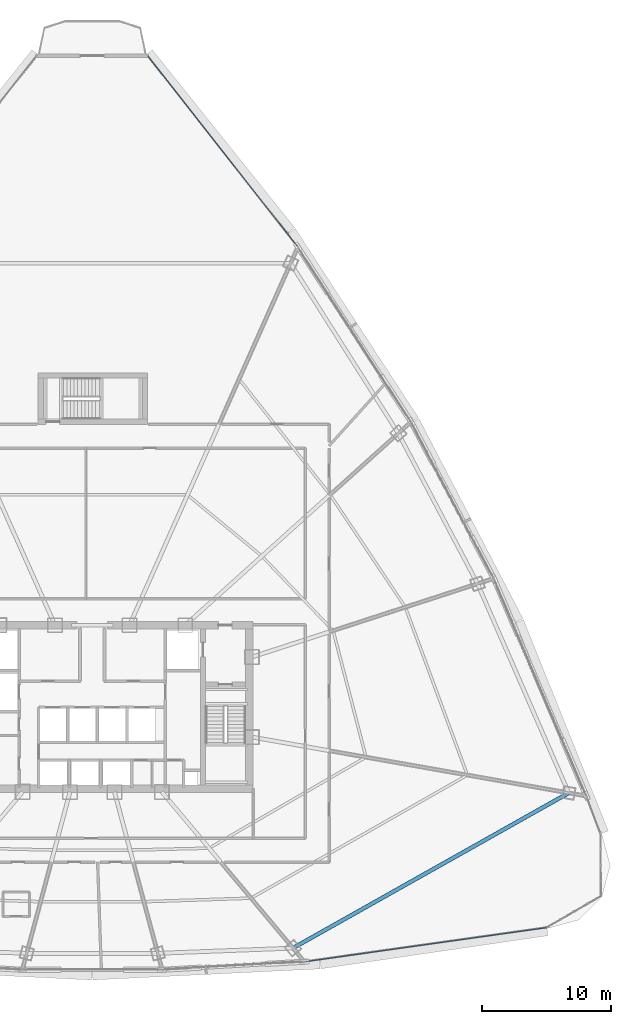
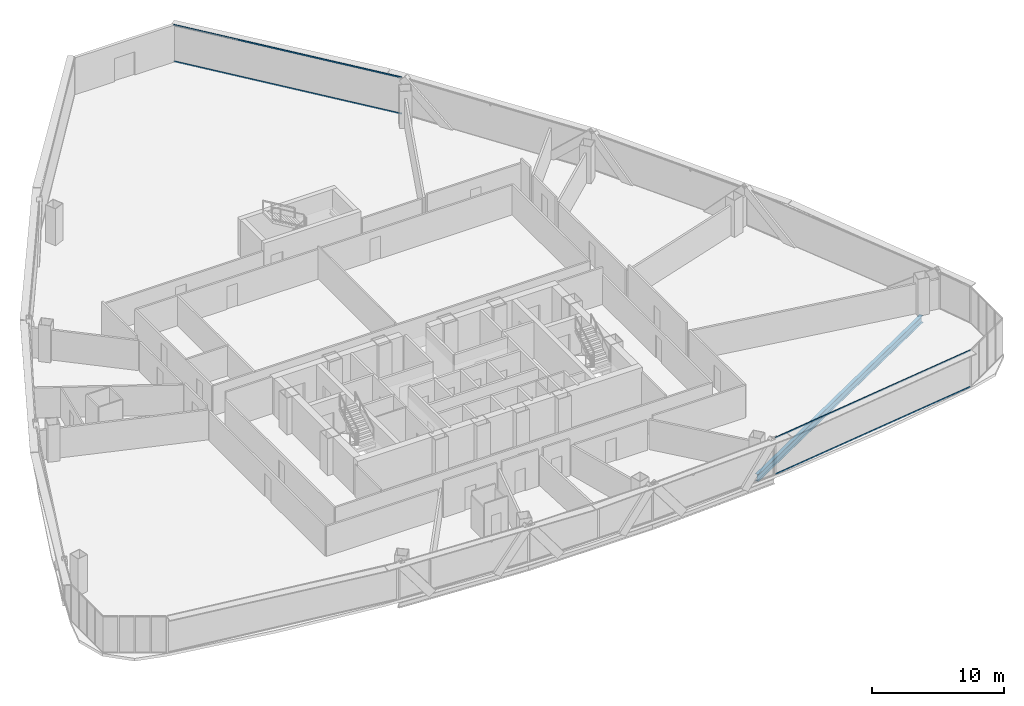
# One storey, part 23 of 41: 4 members, 1 beam, 2 elements without a shape of their own.
"""IFC4 building model written with IfcOpenShell, lengths in metres."""

from ifc_helpers import new_model, si_unit, direction, frame, origin, origin_2d, place, context, subcontext, project, spatial, hollow_rectangle, i_section, extrude, source, transform, mapped, material, layer, layer_set, material_profile, profile_set, type_object, element, aggregate, save


model = new_model("IFC4")

# Units and contexts
model_context = context("Model", 3, precision=1e-05, world=origin(), true_north=direction((0.0, 1.0)))
body_context = subcontext(model_context, "Body", "Model", "MODEL_VIEW")
ifc_project = project(units=[si_unit("LENGTHUNIT", "METRE"), si_unit("AREAUNIT", "SQUARE_METRE"), si_unit("VOLUMEUNIT", "CUBIC_METRE"), si_unit("PLANEANGLEUNIT", "RADIAN"), si_unit("MASSUNIT", "GRAM", prefix="KILO"), si_unit("THERMODYNAMICTEMPERATUREUNIT", "KELVIN"), si_unit("POWERUNIT", "WATT")], contexts=[model_context])

# Site, building, storey
site_placement = place(None, origin())
site = spatial("IfcSite", under=ifc_project, at=site_placement, CompositionType="ELEMENT")
building_placement = place(site_placement, origin())
building = spatial("IfcBuilding", under=site, at=building_placement, Name="Yunzhuo Pagoda Commons", CompositionType="ELEMENT")
storey_placement = place(building_placement, frame((0.0, 0.0, 155.590087890625)))
storey = spatial("IfcBuildingStorey", under=building, at=storey_placement, Name="L39", CompositionType="ELEMENT", Elevation=155.590087890625)

# Beam
ifc_material_1 = material(Name="Structural steel Q355B", Category="steel")
ifc_material_profile_1 = material_profile(ifc_material_1, i_section(OverallWidth=0.300048828125, OverallDepth=0.64990234375, WebThickness=0.012939453125, FlangeThickness=0.02197265625, at=origin_2d()), Name="Structural steel Q355B")
ifc_profile_set_1 = profile_set([ifc_material_profile_1], Name="Structural steel Q355B")
beam_type = type_object("IfcBeamType", Name="B-RG2 Beam HN 650x300x13x22", PredefinedType="BEAM", material=ifc_profile_set_1)
shared_shape_1 = source(origin(), body_context, "Body", "SweptSolid", [
    extrude(i_section(OverallWidth=0.300048828125, OverallDepth=0.64990234375, WebThickness=0.012939453125, FlangeThickness=0.02197265625, at=origin_2d()), origin(), (0.0, 0.0, 1.0), 24.56982421875),
])
beam_placement = place(storey_placement, frame((63.585205078125, 15.126220703125, -0.585205078125), z_axis=(0.871469103633, 0.490450406681, 0.0), x_axis=(-0.490450406681, 0.871469103633, 0.0)))
element("IfcBeam", 1, at=beam_placement, inside=storey, type_object=beam_type, Name="L39 column-ring beam 4", PredefinedType="BEAM", context=body_context, shape_type="MappedRepresentation", body=[
    mapped(shared_shape_1, transform((0.0, 0.0, 0.0), scale=1.0)),
])

# Curtain wall, members
ifc_material_2 = material(Name="Anodized aluminium 6063-T6", Category="aluminium")
ifc_layer = layer(ifc_material_2, 0.14990234375)
ifc_layer_set = layer_set([ifc_layer], Name="Anodized aluminium 6063-T6")
curtain_wall_type = type_object("IfcCurtainWallType", Name="CW-MID Mid-Zone Ribbon Curtain Wall", PredefinedType="NOTDEFINED", material=ifc_layer_set)
curtain_wall_1_placement = place(storey_placement, origin())
curtain_wall_1 = element("IfcCurtainWall", 2, at=curtain_wall_1_placement, inside=storey, type_object=curtain_wall_type, Name="L39 curtain wall CW-L39-F1B5", PredefinedType="NOTDEFINED")
ifc_material_profile_2 = material_profile(ifc_material_2, hollow_rectangle(XDim=0.054931640625, YDim=0.1298828125, WallThickness=0.00341796875, at=origin_2d()), Name="Anodized aluminium 6063-T6")
ifc_profile_set_2 = profile_set([ifc_material_profile_2], Name="Anodized aluminium 6063-T6")
member_type = type_object("IfcMemberType", Name="CW-MID-T Transom RHS 130x55x3.5", PredefinedType="USERDEFINED", material=ifc_profile_set_2)
shared_shape_2 = source(origin(), body_context, "Body", "SweptSolid", [
    extrude(hollow_rectangle(XDim=0.054931640625, YDim=0.1298828125, WallThickness=0.00341796875, at=origin_2d()), origin(), (0.0, 0.0, 1.0), 18.81689453125),
])
member_1_placement = place(storey_placement, frame((64.6064453125, 14.08740234375, 0.02734375), z_axis=(0.990203475136, 0.139631936994, 0.0), x_axis=(-0.139631936994, 0.990203475136, 0.0)))
member_1 = element("IfcMember", 3, at=member_1_placement, type_object=member_type, Name="CW transom 1.1", ObjectType="TRANSOM", PredefinedType="USERDEFINED", context=body_context, shape_type="MappedRepresentation", body=[
    mapped(shared_shape_2, transform((0.0, 0.0, 0.0), scale=1.0)),
])
member_2_placement = place(storey_placement, frame((64.6064453125, 14.08740234375, 3.392333984375), z_axis=(0.990203475136, 0.139631936994, 0.0), x_axis=(-0.139631936994, 0.990203475136, 0.0)))
member_2 = element("IfcMember", 4, at=member_2_placement, type_object=member_type, Name="CW transom 1.2", ObjectType="TRANSOM", PredefinedType="USERDEFINED", context=body_context, shape_type="MappedRepresentation", body=[
    mapped(shared_shape_2, transform((0.0, 0.0, 0.0), scale=1.0)),
])
aggregate(curtain_wall_1, [member_1, member_2])

curtain_wall_2_placement = place(storey_placement, origin())
curtain_wall_2 = element("IfcCurtainWall", 5, at=curtain_wall_2_placement, inside=storey, type_object=curtain_wall_type, Name="L39 curtain wall CW-L39-F2B5", PredefinedType="NOTDEFINED")
shared_shape_3 = source(origin(), body_context, "Body", "SweptSolid", [
    extrude(hollow_rectangle(XDim=0.054931640625, YDim=0.1298828125, WallThickness=0.00341796875, at=origin_2d()), origin(), (0.0, 0.0, 1.0), 18.6806640625),
])
member_3_placement = place(storey_placement, frame((63.883544921875, 69.668701171875, 0.02734375), z_axis=(-0.61725574956, 0.786762568781, 0.0), x_axis=(-0.786762568781, -0.61725574956, 0.0)))
member_3 = element("IfcMember", 6, at=member_3_placement, type_object=member_type, Name="CW transom 1.1", ObjectType="TRANSOM", PredefinedType="USERDEFINED", context=body_context, shape_type="MappedRepresentation", body=[
    mapped(shared_shape_3, transform((0.0, 0.0, 0.0), scale=1.0)),
])
member_4_placement = place(storey_placement, frame((63.883544921875, 69.668701171875, 3.392333984375), z_axis=(-0.61725574956, 0.786762568781, 0.0), x_axis=(-0.786762568781, -0.61725574956, 0.0)))
member_4 = element("IfcMember", 7, at=member_4_placement, type_object=member_type, Name="CW transom 1.2", ObjectType="TRANSOM", PredefinedType="USERDEFINED", context=body_context, shape_type="MappedRepresentation", body=[
    mapped(shared_shape_3, transform((0.0, 0.0, 0.0), scale=1.0)),
])
aggregate(curtain_wall_2, [member_3, member_4])

save(model, "model.ifc")
